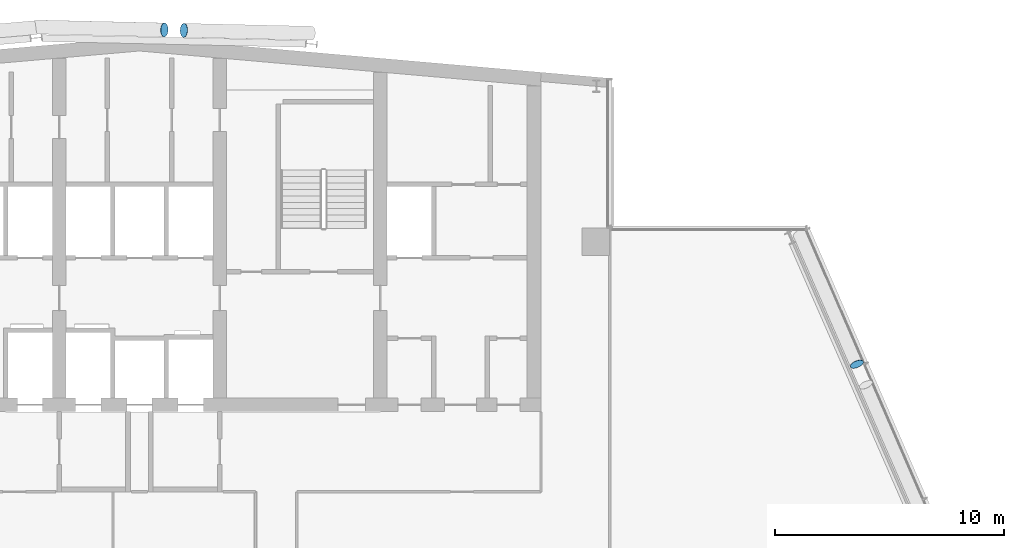
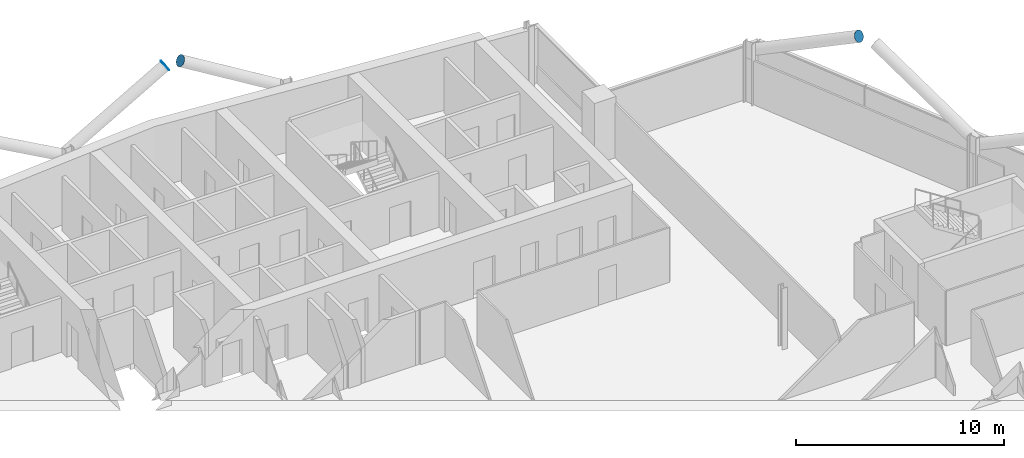
# One storey, part 23 of 26: 3 discrete accessories.
"""IFC4 building model written with IfcOpenShell, lengths in metres."""

from ifc_helpers import new_model, si_unit, direction, frame, origin, origin_2d, place, context, subcontext, project, spatial, circle, extrude, material, material_profile, profile_set, type_object, element, save


model = new_model("IFC4")

# Units and contexts
model_context = context("Model", 3, precision=1e-05, world=origin(), true_north=direction((0.0, 1.0)))
body_context = subcontext(model_context, "Body", "Model", "MODEL_VIEW")
ifc_project = project(units=[si_unit("LENGTHUNIT", "METRE"), si_unit("AREAUNIT", "SQUARE_METRE"), si_unit("VOLUMEUNIT", "CUBIC_METRE"), si_unit("PLANEANGLEUNIT", "RADIAN"), si_unit("MASSUNIT", "GRAM", prefix="KILO")], contexts=[model_context])

# Site, building, storey
site_placement = place(None, origin())
site = spatial("IfcSite", under=ifc_project, at=site_placement, CompositionType="ELEMENT")
building_placement = place(site_placement, origin())
building = spatial("IfcBuilding", under=site, at=building_placement, Name="Wharfspan Tower", CompositionType="ELEMENT")
storey_placement = place(building_placement, frame((0.0, 0.0, 217.899902)))
storey = spatial("IfcBuildingStorey", under=building, at=storey_placement, Name="L54", CompositionType="ELEMENT", Elevation=217.899902)

# Discrete accessories
ifc_material = material(Name="Steel S460NH", Category="steel")
ifc_material_profile = material_profile(ifc_material, circle(Radius=0.304932, at=origin_2d()))
ifc_profile_set = profile_set([ifc_material_profile], Name="Steel S460NH")
discrete_accessory_type = type_object("IfcDiscreteAccessoryType", Name="End plate CHS 610x25", PredefinedType="BRACKET", material=ifc_profile_set)
for number, where, z_axis, x_axis, name in (
    (1, (71.769775, 36.06958, 6.233398), (0.345075, -0.81339, 0.468316), (0.920586, 0.390551, -2e-06), "End plate CHS 610x25"),
    (2, (41.577881, 50.636475, 6.240479), (0.857236, -0.024492, 0.514341), (0.028558, 0.999591, 2e-06), "End plate CHS 610x25"),
    (3, (42.442871, 50.616699, 6.240479), (-0.857236, 0.024492, 0.514341), (-0.028558, -0.999591, 2e-06), "End plate CHS 610x25"),
):
    element("IfcDiscreteAccessory", number, at=place(storey_placement, frame(where, z_axis=z_axis, x_axis=x_axis)), inside=storey, type_object=discrete_accessory_type, Name=name, PredefinedType="BRACKET", context=body_context, shape_type="SweptSolid", body=[
        extrude(circle(Radius=0.304932, at=origin_2d()), origin(), (0.0, 0.0, 1.0), 0.01001),
    ])

save(model, "model.ifc")
